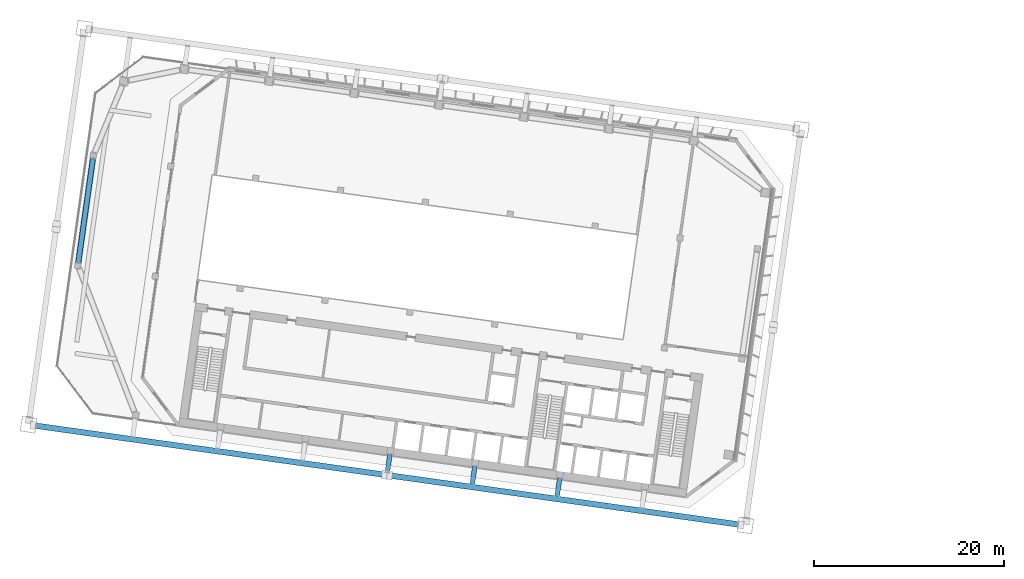
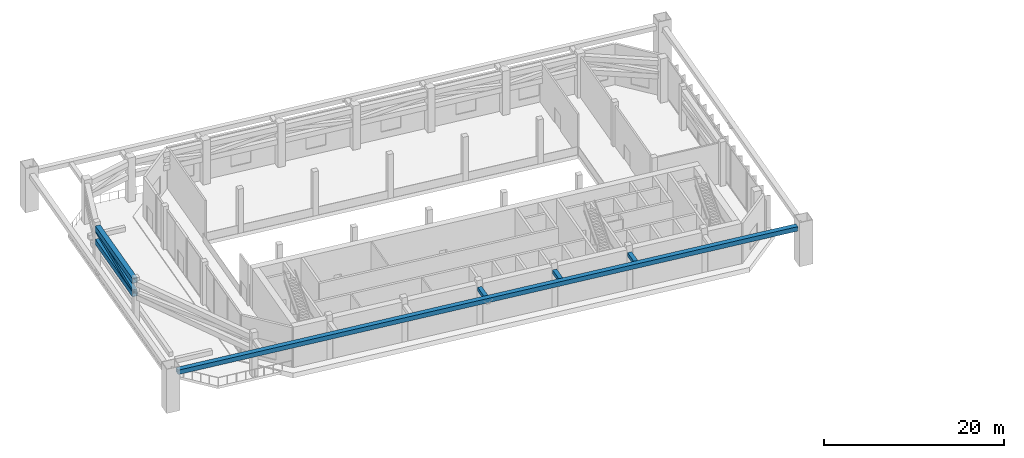
# One storey, part 4 of 41: 7 members.
"""IFC4 building model written with IfcOpenShell, lengths in metres."""

from ifc_helpers import new_model, si_unit, direction, frame, origin, origin_2d, place, context, subcontext, project, spatial, hollow_rectangle, extrude, material, material_profile, profile_set, type_object, element, save


model = new_model("IFC4")

# Units and contexts
model_context = context("Model", 3, precision=1e-05, world=origin(), true_north=direction((0.0, 1.0)))
body_context = subcontext(model_context, "Body", "Model", "MODEL_VIEW")
ifc_project = project(units=[si_unit("LENGTHUNIT", "METRE"), si_unit("AREAUNIT", "SQUARE_METRE"), si_unit("VOLUMEUNIT", "CUBIC_METRE"), si_unit("PLANEANGLEUNIT", "RADIAN"), si_unit("MASSUNIT", "GRAM", prefix="KILO")], contexts=[model_context])

# Site, building, storey
site_placement = place(None, origin())
site = spatial("IfcSite", under=ifc_project, at=site_placement, CompositionType="ELEMENT")
building_placement = place(site_placement, origin())
building = spatial("IfcBuilding", under=site, at=building_placement, Name="Mirante Cascada Hotel Towers", CompositionType="ELEMENT")
storey_placement = place(building_placement, frame((0.0, 0.0, 92.7)))
storey = spatial("IfcBuildingStorey", under=building, at=storey_placement, Name="L20", CompositionType="ELEMENT", Elevation=92.7)

# Members
ifc_material_1 = material(Name="Steel ASTM A572 Gr 50", Category="steel")
ifc_material_profile_1 = material_profile(ifc_material_1, hollow_rectangle(XDim=0.6, YDim=0.6, WallThickness=0.04, at=origin_2d()), Name="Box chord 600x600x40 ASTM A572 Gr 50")
ifc_profile_set_1 = profile_set([ifc_material_profile_1], Name="Steel ASTM A572 Gr 50")
member_type_1 = type_object("IfcMemberType", Name="Box chord 600x600x40 ASTM A572 Gr 50", PredefinedType="CHORD", material=ifc_profile_set_1)
member_1_placement = place(storey_placement, frame((-31.7145, -22.9654, 4.85), z_axis=(-0.9902682, 0.1391724, 0.0), x_axis=(-0.1391724, -0.9902682, 0.0)))
element("IfcMember", 1, at=member_1_placement, inside=storey, type_object=member_type_1, Name="exochord T1 L20 2", PredefinedType="CHORD", context=body_context, shape_type="SweptSolid", body=[
    extrude(hollow_rectangle(XDim=0.6, YDim=0.6, WallThickness=0.04, at=origin_2d()), origin(), (0.0, 0.0, 1.0), 74.44),
])
ifc_material_2 = material(Name="Steel ASTM A572 Gr 50", Category="steel")
ifc_material_profile_2 = material_profile(ifc_material_2, hollow_rectangle(XDim=0.6, YDim=0.7, WallThickness=0.05, at=origin_2d()), Name="Box chord 700x600x50 ASTM A572 Gr 50")
ifc_profile_set_2 = profile_set([ifc_material_profile_2], Name="Steel ASTM A572 Gr 50")
member_type_2 = type_object("IfcMemberType", Name="Box chord 700x600x50 ASTM A572 Gr 50", PredefinedType="CHORD", material=ifc_profile_set_2)
for number, where, z_axis, x_axis, name in (
    (2, (-99.4466, 15.455, 5.2), (-0.1391752, -0.9902678, 0.0), (0.9902678, -0.1391752, 0.0), "belt T1 L20 28"),
    (3, (-99.4466, 15.455, 3.4), (-0.1391752, -0.9902678, 0.0), (0.9902678, -0.1391752, 0.0), "belt T1 L20 29"),
):
    element("IfcMember", number, at=place(storey_placement, frame(where, z_axis=z_axis, x_axis=x_axis)), inside=storey, type_object=member_type_2, Name=name, PredefinedType="CHORD", context=body_context, shape_type="SweptSolid", body=[
        extrude(hollow_rectangle(XDim=0.6, YDim=0.7, WallThickness=0.05, at=origin_2d()), origin(), (0.0, 0.0, 1.0), 11.04),
    ])
ifc_material_3 = material(Name="Steel ASTM A572 Gr 50", Category="steel")
ifc_material_profile_3 = material_profile(ifc_material_3, hollow_rectangle(XDim=0.5, YDim=0.5, WallThickness=0.035, at=origin_2d()), Name="Box diagonal 500x500x35 ASTM A572 Gr 50")
ifc_profile_set_3 = profile_set([ifc_material_profile_3], Name="Steel ASTM A572 Gr 50")
member_type_3 = type_object("IfcMemberType", Name="Box diagonal 500x500x35 ASTM A572 Gr 50", PredefinedType="BRACE", material=ifc_profile_set_3)
member_2_placement = place(storey_placement, frame((-99.4466, 15.455, 4.85), z_axis=(-0.1384894, -0.9853886, -0.0991464), x_axis=(0.9902678, -0.1391752, 0.0)))
element("IfcMember", 4, at=member_2_placement, inside=storey, type_object=member_type_3, Name="belt T1 L20 30", PredefinedType="BRACE", context=body_context, shape_type="SweptSolid", body=[
    extrude(hollow_rectangle(XDim=0.5, YDim=0.5, WallThickness=0.035, at=origin_2d()), origin(), (0.0, 0.0, 1.0), 11.0947),
])
ifc_material_4 = material(Name="Steel ASTM A572 Gr 50", Category="steel")
ifc_material_profile_4 = material_profile(ifc_material_4, hollow_rectangle(XDim=0.5, YDim=0.5, WallThickness=0.035, at=origin_2d()), Name="Box tie 500x500x35 ASTM A572 Gr 50")
ifc_profile_set_4 = profile_set([ifc_material_profile_4], Name="Steel ASTM A572 Gr 50")
member_type_4 = type_object("IfcMemberType", Name="Box tie 500x500x35 ASTM A572 Gr 50", PredefinedType="STRUT", material=ifc_profile_set_4)
for number, where, z_axis, x_axis, name in (
    (5, (-50.4385, -18.0921, 4.85), (-0.1391766, -0.9902676, 0.0), (0.9902676, -0.1391766, 0.0), "tie T1 L20 4"),
    (6, (-59.3509, -16.8396, 4.85), (-0.1391766, -0.9902676, 0.0), (0.9902676, -0.1391766, 0.0), "tie T1 L20 6"),
    (7, (-68.2633, -15.587, 4.85), (-0.1391766, -0.9902676, 0.0), (0.9902676, -0.1391766, 0.0), "tie T1 L20 8"),
):
    element("IfcMember", number, at=place(storey_placement, frame(where, z_axis=z_axis, x_axis=x_axis)), inside=storey, type_object=member_type_4, Name=name, PredefinedType="STRUT", context=body_context, shape_type="SweptSolid", body=[
        extrude(hollow_rectangle(XDim=0.5, YDim=0.5, WallThickness=0.035, at=origin_2d()), origin(), (0.0, 0.0, 1.0), 1.94),
    ])

save(model, "model.ifc")
